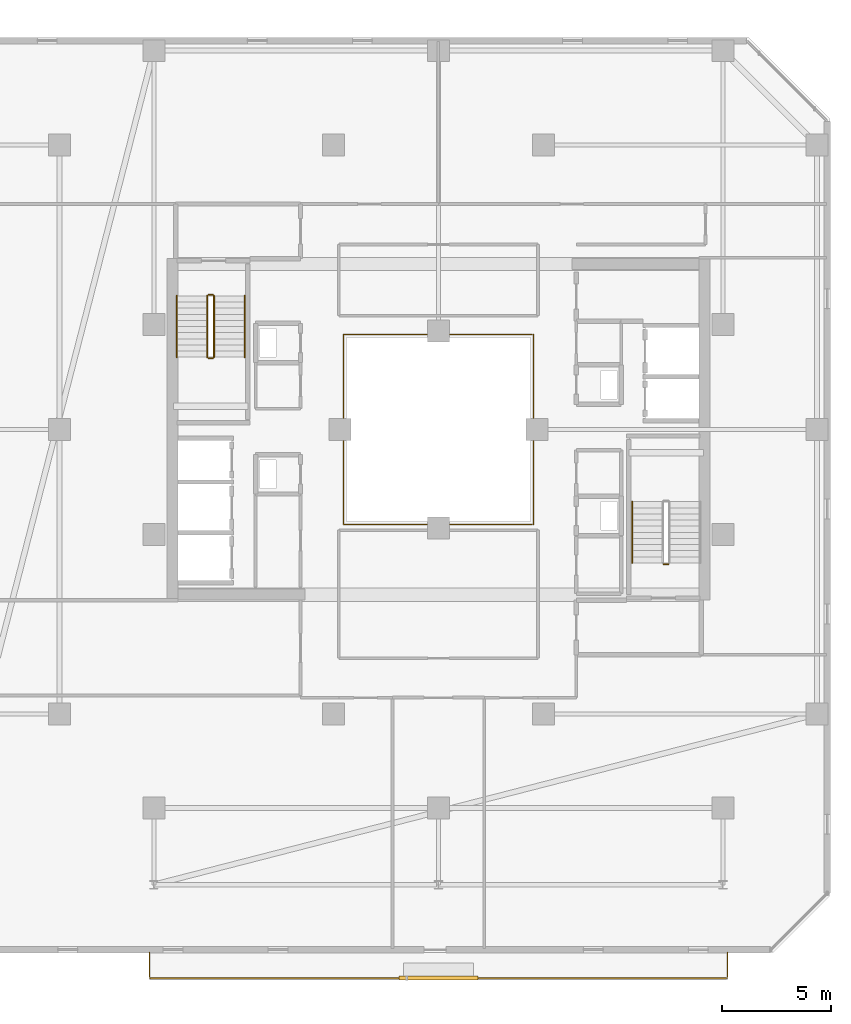
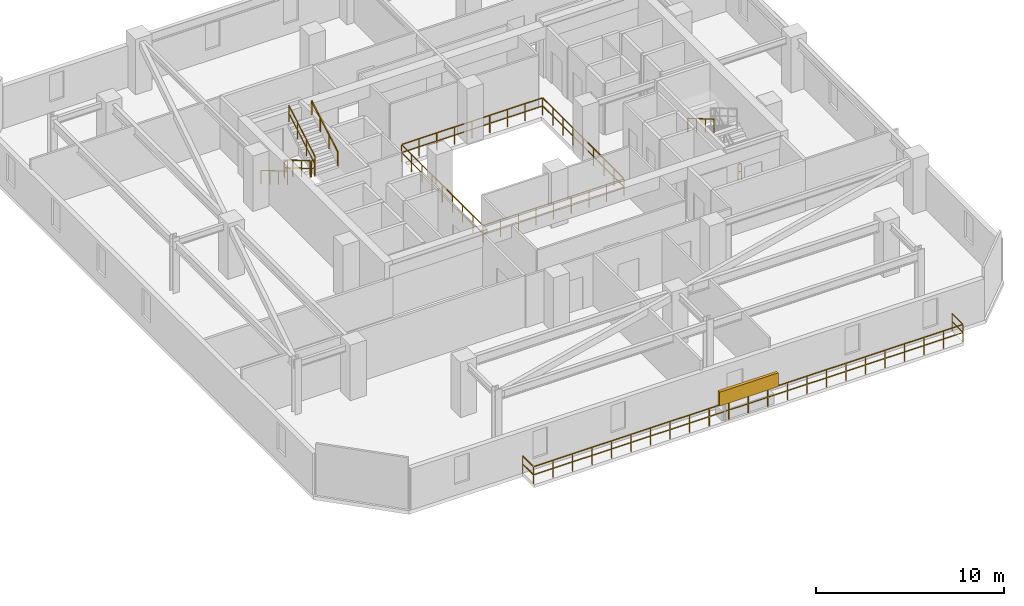
# One storey, part 32 of 33: 10 railings, 1 shading device.
"""IFC4 building model written with IfcOpenShell, lengths in metres."""

import ifcopenshell
import ifcopenshell.guid

model = None  # the IFC model being written
_history = None  # IfcOwnerHistory: only IFC2X3 demands one
_inside = {}  # id of a spatial element -> (the spatial element, [elements in it])
_under = {}  # id of a project, library or spatial element -> (it, [spatial elements below it])
_declared = {}  # id of a project -> (the project, [libraries it declares])
_typed = {}  # id of a type object -> (the type object, [elements of that type])
_made_of = {}  # id of a material, layer set ... -> (it, [elements and type objects made of it])


def new_model(schema):
    """Start an empty IFC model of exactly this schema.

    Asked for "IFC4X3", IfcOpenShell would pick the latest addendum, in which some entities
    have other attributes; the version numbers below select the first issue.
    IFC2X3 requires an IfcOwnerHistory on every rooted entity: one is made here for all.
    """
    global model, _history
    if schema == "IFC4X3":
        model = ifcopenshell.file(schema_version=(4, 3, 0, 0))
    else:
        model = ifcopenshell.file(schema=schema)
    _inside.clear()
    _under.clear()
    _declared.clear()
    _typed.clear()
    _made_of.clear()
    _history = None
    if model.schema == "IFC2X3":
        org = make("IfcOrganization", Name="unknown")
        user = make(
            "IfcPersonAndOrganization",
            ThePerson=make("IfcPerson", FamilyName="unknown"),
            TheOrganization=org,
        )
        app = make(
            "IfcApplication",
            ApplicationDeveloper=org,
            Version="unknown",
            ApplicationFullName="unknown",
            ApplicationIdentifier="unknown",
        )
        _history = make(
            "IfcOwnerHistory",
            OwningUser=user,
            OwningApplication=app,
            ChangeAction="ADDED",
            CreationDate=0,
        )
    return model


def make(cls, **values):
    """One entity of the class cls with the attributes given. An attribute that is None is left unset."""
    return model.create_entity(
        cls, **{name: value for name, value in values.items() if value is not None}
    )


def rooted(cls, **values):
    """An entity with a GlobalId (a new one), such as an element, a storey or a relation."""
    return make(cls, GlobalId=ifcopenshell.guid.new(), OwnerHistory=_history, **values)


def si_unit(unit_type, name, prefix=None):
    """IfcSIUnit, for example si_unit("LENGTHUNIT", "METRE", prefix="MILLI")."""
    return make("IfcSIUnit", UnitType=unit_type, Prefix=prefix, Name=name)


def assignment(units):
    """IfcUnitAssignment: the units of a project."""
    return None if units is None else make("IfcUnitAssignment", Units=units)


def point(xyz):
    """IfcCartesianPoint."""
    return None if xyz is None else make("IfcCartesianPoint", Coordinates=xyz)


def direction(xyz):
    """IfcDirection."""
    return None if xyz is None else make("IfcDirection", DirectionRatios=xyz)


def frame(location, z_axis=None, x_axis=None):
    """IfcAxis2Placement3D, a coordinate frame: its origin and axes. An axis left out is left unset."""
    return make(
        "IfcAxis2Placement3D",
        Location=point(location),
        Axis=direction(z_axis),
        RefDirection=direction(x_axis),
    )


def frame_2d(location, x_axis=None):
    """IfcAxis2Placement2D, a coordinate frame in the plane: its origin and x axis."""
    return make(
        "IfcAxis2Placement2D", Location=point(location), RefDirection=direction(x_axis)
    )


def origin():
    """The frame at (0, 0, 0) with its axes left unset."""
    return frame((0.0, 0.0, 0.0))


def origin_2d():
    """The frame at (0, 0) in the plane with its x axis left unset."""
    return frame_2d((0.0, 0.0))


def place(relative_to, where):
    """IfcLocalPlacement: puts the frame where relative to a parent placement (None: the world)."""
    return make(
        "IfcLocalPlacement", PlacementRelTo=relative_to, RelativePlacement=where
    )


def context(
    kind, dimensions, precision=None, world=None, true_north=None, identifier=None
):
    """IfcGeometricRepresentationContext, for example the 3D "Model" context."""
    return make(
        "IfcGeometricRepresentationContext",
        ContextIdentifier=identifier,
        ContextType=kind,
        CoordinateSpaceDimension=dimensions,
        Precision=precision,
        WorldCoordinateSystem=world,
        TrueNorth=true_north,
    )


def subcontext(parent, identifier, kind, view, scale=None):
    """IfcGeometricRepresentationSubContext, for example "Body" below "Model"."""
    return make(
        "IfcGeometricRepresentationSubContext",
        ContextIdentifier=identifier,
        ContextType=kind,
        ParentContext=parent,
        TargetScale=scale,
        TargetView=view,
    )


def project(units=None, contexts=None):
    """IfcProject with its units and contexts."""
    return rooted(
        "IfcProject",
        Name="project",
        RepresentationContexts=contexts,
        UnitsInContext=assignment(units),
    )


def spatial(cls, under=None, at=None, **own):
    """A site, building, storey or space (cls), placed at a placement, below another one or the project."""
    s = rooted(cls, ObjectPlacement=at, **own)
    if under is not None:
        _under.setdefault(under.id(), (under, []))[1].append(s)
    return s


def profile(cls, at=None, kind="AREA", **sizes):
    """A parametric profile (cls). Its sizes go by their IFC names, for example OverallWidth=200.0."""
    return make(cls, ProfileType=kind, Position=at, **sizes)


def rectangle(**sizes):
    """IfcRectangleProfileDef."""
    return profile("IfcRectangleProfileDef", **sizes)


def extrude(swept, where, along, depth):
    """IfcExtrudedAreaSolid: the profile swept, set in the frame where, extruded along a direction by depth."""
    return make(
        "IfcExtrudedAreaSolid",
        SweptArea=swept,
        Position=where,
        ExtrudedDirection=direction(along),
        Depth=depth,
    )


def shape(context_of_items, identifier, shape_type, items):
    """IfcShapeRepresentation: the items that make up one representation, for example the "Body"."""
    return make(
        "IfcShapeRepresentation",
        ContextOfItems=context_of_items,
        RepresentationIdentifier=identifier,
        RepresentationType=shape_type,
        Items=items,
    )


def material(Name=None, Category=None):
    """IfcMaterial."""
    return make("IfcMaterial", Name=Name, Category=Category)


def made_of(thing, what):
    """Note that an element or type object is made of a material, layer set ...; save() writes the relation."""
    if what is not None:
        _made_of.setdefault(what.id(), (what, []))[1].append(thing)
    return thing


def type_object(cls, material=None, **own):
    """A type object (cls), such as IfcWallType, which elements share."""
    return made_of(rooted(cls, **own), material)


def element(
    cls,
    number,
    at=None,
    inside=None,
    cuts=None,
    type_object=None,
    material=None,
    context=None,
    identifier="Body",
    shape_type=None,
    held_by="IfcProductDefinitionShape",
    body=None,
    shapes=None,
    **own,
):
    """One element of the class cls, such as IfcWall. Its Tag is "e" and its number.

    at: its placement. inside: the storey or other place that contains it. cuts: it is an
    opening in that element (IfcRelVoidsElement). A single representation is given by context,
    identifier, shape_type and body (its items); several are given by shapes. held_by: the class
    of the entity that holds the representations. save() writes the other relations.
    """
    e = rooted(cls, Tag="e%d" % number, ObjectPlacement=at, **own)
    if body is not None:
        shapes = [shape(context, identifier, shape_type, body)]
    if shapes is not None:
        e.Representation = make(held_by, Representations=shapes)
    if inside is not None:
        _inside.setdefault(inside.id(), (inside, []))[1].append(e)
    if cuts is not None:
        rooted(
            "IfcRelVoidsElement", RelatingBuildingElement=cuts, RelatedOpeningElement=e
        )
    if type_object is not None:
        _typed.setdefault(type_object.id(), (type_object, []))[1].append(e)
    return made_of(e, material)


def aggregate(whole, parts):
    """IfcRelAggregates: a whole, such as a stair, and the parts it consists of."""
    return rooted("IfcRelAggregates", RelatingObject=whole, RelatedObjects=parts)


def save(model, path):
    """Write the relations noted so far, then the file.

    IfcRelAggregates (storeys below a building ...), IfcRelContainedInSpatialStructure (elements
    in a storey), IfcRelDefinesByType, IfcRelAssociatesMaterial and IfcRelDeclares: one each for
    every whole, place, type object, material and project.
    """
    for whole, parts in _under.values():
        aggregate(whole, parts)
    for where, things in _inside.values():
        rooted(
            "IfcRelContainedInSpatialStructure",
            RelatedElements=things,
            RelatingStructure=where,
        )
    for kind, things in _typed.values():
        rooted("IfcRelDefinesByType", RelatedObjects=things, RelatingType=kind)
    for what, things in _made_of.values():
        rooted("IfcRelAssociatesMaterial", RelatedObjects=things, RelatingMaterial=what)
    for by, libraries in _declared.values():
        rooted("IfcRelDeclares", RelatingContext=by, RelatedDefinitions=libraries)
    model.write(path)


model = new_model("IFC4")

# Units and contexts
model_context = context("Model", 3, precision=1e-05, world=origin(), true_north=direction((0.0, 1.0)))
body_context = subcontext(model_context, "Body", "Model", "MODEL_VIEW")
ifc_project = project(units=[si_unit("LENGTHUNIT", "METRE"), si_unit("AREAUNIT", "SQUARE_METRE"), si_unit("VOLUMEUNIT", "CUBIC_METRE"), si_unit("PLANEANGLEUNIT", "RADIAN"), si_unit("MASSUNIT", "GRAM", prefix="KILO")], contexts=[model_context])

# Site, building, storey
site_placement = place(None, origin())
site = spatial("IfcSite", under=ifc_project, at=site_placement, CompositionType="ELEMENT")
building_placement = place(site_placement, origin())
building = spatial("IfcBuilding", under=site, at=building_placement, Name="Thornwick Lancets Civic Towers", CompositionType="ELEMENT")
storey_placement = place(building_placement, frame((0.0, 0.0, 207.300048828125)))
storey = spatial("IfcBuildingStorey", under=building, at=storey_placement, Name="L55", CompositionType="ELEMENT", Elevation=207.300048828125)

# Railings
ifc_material_1 = material(Name="Laminated glass and bronze steel S355", Category="steel")
railing_type_1 = type_object("IfcRailingType", Name="RAIL_ATRIUM_GUARD", PredefinedType="BALUSTRADE", material=ifc_material_1)
railing_1_placement = place(storey_placement, frame((84.159912109375, 22.659912109375, 0.0)))
element("IfcRailing", 1, at=railing_1_placement, inside=storey, type_object=railing_type_1, Name="L55 Tower B Central Atrium Guard Balustrade", PredefinedType="BALUSTRADE", context=body_context, shape_type="SweptSolid", body=[
    extrude(rectangle(XDim=0.048095703125, YDim=0.048095703125, at=origin_2d()), frame((0.0, 0.0, 1.1259765625), z_axis=(1.0, 0.0, 0.0), x_axis=(0.0, 1.0, 0.0)), (0.0, 0.0, 1.0), 8.64892578125),
    extrude(rectangle(XDim=0.0419921875, YDim=0.0419921875, at=origin_2d()), frame((0.03759765625, 0.0, 0.597900390625), z_axis=(1.0, 0.0, 0.0), x_axis=(0.0, 1.0, 0.0)), (0.0, 0.0, 1.0), 1.010009765625),
    extrude(rectangle(XDim=0.0419921875, YDim=0.0419921875, at=origin_2d()), frame((1.12255859375, 0.0, 0.597900390625), z_axis=(1.0, 0.0, 0.0), x_axis=(0.0, 1.0, 0.0)), (0.0, 0.0, 1.0), 1.010009765625),
    extrude(rectangle(XDim=0.0419921875, YDim=0.0419921875, at=origin_2d()), frame((2.20751953125, 0.0, 0.597900390625), z_axis=(1.0, 0.0, 0.0), x_axis=(0.0, 1.0, 0.0)), (0.0, 0.0, 1.0), 1.010009765625),
    extrude(rectangle(XDim=0.0419921875, YDim=0.0419921875, at=origin_2d()), frame((3.29248046875, 0.0, 0.597900390625), z_axis=(1.0, 0.0, 0.0), x_axis=(0.0, 1.0, 0.0)), (0.0, 0.0, 1.0), 1.010009765625),
    extrude(rectangle(XDim=0.0419921875, YDim=0.0419921875, at=origin_2d()), frame((4.377685546875, 0.0, 0.597900390625), z_axis=(1.0, 0.0, 0.0), x_axis=(0.0, 1.0, 0.0)), (0.0, 0.0, 1.0), 1.010009765625),
    extrude(rectangle(XDim=0.0419921875, YDim=0.0419921875, at=origin_2d()), frame((5.462646484375, 0.0, 0.597900390625), z_axis=(1.0, 0.0, 0.0), x_axis=(0.0, 1.0, 0.0)), (0.0, 0.0, 1.0), 1.010009765625),
    extrude(rectangle(XDim=0.0419921875, YDim=0.0419921875, at=origin_2d()), frame((6.547607421875, 0.0, 0.597900390625), z_axis=(1.0, 0.0, 0.0), x_axis=(0.0, 1.0, 0.0)), (0.0, 0.0, 1.0), 1.010009765625),
    extrude(rectangle(XDim=0.0419921875, YDim=0.0419921875, at=origin_2d()), frame((7.632568359375, 0.0, 0.597900390625), z_axis=(1.0, 0.0, 0.0), x_axis=(0.0, 1.0, 0.0)), (0.0, 0.0, 1.0), 1.010009765625),
    extrude(rectangle(XDim=0.048095703125, YDim=0.048095703125, at=origin_2d()), frame((8.68017578125, 0.03125, 1.1259765625), z_axis=(0.0, 1.0, 0.0), x_axis=(-1.0, 0.0, 0.0)), (0.0, 0.0, 1.0), 8.61767578125),
    extrude(rectangle(XDim=0.0419921875, YDim=0.0419921875, at=origin_2d()), frame((8.68017578125, 0.03759765625, 0.597900390625), z_axis=(0.0, 1.0, 0.0), x_axis=(-1.0, 0.0, 0.0)), (0.0, 0.0, 1.0), 1.010009765625),
    extrude(rectangle(XDim=0.0419921875, YDim=0.0419921875, at=origin_2d()), frame((8.68017578125, 1.12255859375, 0.597900390625), z_axis=(0.0, 1.0, 0.0), x_axis=(-1.0, 0.0, 0.0)), (0.0, 0.0, 1.0), 1.010009765625),
    extrude(rectangle(XDim=0.0419921875, YDim=0.0419921875, at=origin_2d()), frame((8.68017578125, 2.20751953125, 0.597900390625), z_axis=(0.0, 1.0, 0.0), x_axis=(-1.0, 0.0, 0.0)), (0.0, 0.0, 1.0), 1.010009765625),
    extrude(rectangle(XDim=0.0419921875, YDim=0.0419921875, at=origin_2d()), frame((8.68017578125, 3.29248046875, 0.597900390625), z_axis=(0.0, 1.0, 0.0), x_axis=(-1.0, 0.0, 0.0)), (0.0, 0.0, 1.0), 1.010009765625),
    extrude(rectangle(XDim=0.0419921875, YDim=0.0419921875, at=origin_2d()), frame((8.68017578125, 4.377685546875, 0.597900390625), z_axis=(0.0, 1.0, 0.0), x_axis=(-1.0, 0.0, 0.0)), (0.0, 0.0, 1.0), 1.010009765625),
    extrude(rectangle(XDim=0.0419921875, YDim=0.0419921875, at=origin_2d()), frame((8.68017578125, 5.462646484375, 0.597900390625), z_axis=(0.0, 1.0, 0.0), x_axis=(-1.0, 0.0, 0.0)), (0.0, 0.0, 1.0), 1.010009765625),
    extrude(rectangle(XDim=0.0419921875, YDim=0.0419921875, at=origin_2d()), frame((8.68017578125, 6.547607421875, 0.597900390625), z_axis=(0.0, 1.0, 0.0), x_axis=(-1.0, 0.0, 0.0)), (0.0, 0.0, 1.0), 1.010009765625),
    extrude(rectangle(XDim=0.0419921875, YDim=0.0419921875, at=origin_2d()), frame((8.68017578125, 7.632568359375, 0.597900390625), z_axis=(0.0, 1.0, 0.0), x_axis=(-1.0, 0.0, 0.0)), (0.0, 0.0, 1.0), 1.010009765625),
    extrude(rectangle(XDim=0.048095703125, YDim=0.048095703125, at=origin_2d()), frame((8.64892578125, 8.68017578125, 1.1259765625), z_axis=(-1.0, 0.0, 0.0), x_axis=(0.0, -1.0, 0.0)), (0.0, 0.0, 1.0), 8.61767578125),
    extrude(rectangle(XDim=0.0419921875, YDim=0.0419921875, at=origin_2d()), frame((8.642578125, 8.68017578125, 0.597900390625), z_axis=(-1.0, 0.0, 0.0), x_axis=(0.0, -1.0, 0.0)), (0.0, 0.0, 1.0), 1.010009765625),
    extrude(rectangle(XDim=0.0419921875, YDim=0.0419921875, at=origin_2d()), frame((7.5576171875, 8.68017578125, 0.597900390625), z_axis=(-1.0, 0.0, 0.0), x_axis=(0.0, -1.0, 0.0)), (0.0, 0.0, 1.0), 1.010009765625),
    extrude(rectangle(XDim=0.0419921875, YDim=0.0419921875, at=origin_2d()), frame((6.47265625, 8.68017578125, 0.597900390625), z_axis=(-1.0, 0.0, 0.0), x_axis=(0.0, -1.0, 0.0)), (0.0, 0.0, 1.0), 1.010009765625),
    extrude(rectangle(XDim=0.0419921875, YDim=0.0419921875, at=origin_2d()), frame((5.3876953125, 8.68017578125, 0.597900390625), z_axis=(-1.0, 0.0, 0.0), x_axis=(0.0, -1.0, 0.0)), (0.0, 0.0, 1.0), 1.010009765625),
    extrude(rectangle(XDim=0.0419921875, YDim=0.0419921875, at=origin_2d()), frame((4.302490234375, 8.68017578125, 0.597900390625), z_axis=(-1.0, 0.0, 0.0), x_axis=(0.0, -1.0, 0.0)), (0.0, 0.0, 1.0), 1.010009765625),
    extrude(rectangle(XDim=0.0419921875, YDim=0.0419921875, at=origin_2d()), frame((3.217529296875, 8.68017578125, 0.597900390625), z_axis=(-1.0, 0.0, 0.0), x_axis=(0.0, -1.0, 0.0)), (0.0, 0.0, 1.0), 1.010009765625),
    extrude(rectangle(XDim=0.0419921875, YDim=0.0419921875, at=origin_2d()), frame((2.132568359375, 8.68017578125, 0.597900390625), z_axis=(-1.0, 0.0, 0.0), x_axis=(0.0, -1.0, 0.0)), (0.0, 0.0, 1.0), 1.010009765625),
    extrude(rectangle(XDim=0.0419921875, YDim=0.0419921875, at=origin_2d()), frame((1.047607421875, 8.68017578125, 0.597900390625), z_axis=(-1.0, 0.0, 0.0), x_axis=(0.0, -1.0, 0.0)), (0.0, 0.0, 1.0), 1.010009765625),
    extrude(rectangle(XDim=0.048095703125, YDim=0.048095703125, at=origin_2d()), frame((0.0, 8.64892578125, 1.1259765625), z_axis=(0.0, -1.0, 0.0), x_axis=(1.0, 0.0, 0.0)), (0.0, 0.0, 1.0), 8.64892578125),
    extrude(rectangle(XDim=0.0419921875, YDim=0.0419921875, at=origin_2d()), frame((0.0, 8.642578125, 0.597900390625), z_axis=(0.0, -1.0, 0.0), x_axis=(1.0, 0.0, 0.0)), (0.0, 0.0, 1.0), 1.010009765625),
    extrude(rectangle(XDim=0.0419921875, YDim=0.0419921875, at=origin_2d()), frame((0.0, 7.5576171875, 0.597900390625), z_axis=(0.0, -1.0, 0.0), x_axis=(1.0, 0.0, 0.0)), (0.0, 0.0, 1.0), 1.010009765625),
    extrude(rectangle(XDim=0.0419921875, YDim=0.0419921875, at=origin_2d()), frame((0.0, 6.47265625, 0.597900390625), z_axis=(0.0, -1.0, 0.0), x_axis=(1.0, 0.0, 0.0)), (0.0, 0.0, 1.0), 1.010009765625),
    extrude(rectangle(XDim=0.0419921875, YDim=0.0419921875, at=origin_2d()), frame((0.0, 5.3876953125, 0.597900390625), z_axis=(0.0, -1.0, 0.0), x_axis=(1.0, 0.0, 0.0)), (0.0, 0.0, 1.0), 1.010009765625),
    extrude(rectangle(XDim=0.0419921875, YDim=0.0419921875, at=origin_2d()), frame((0.0, 4.302490234375, 0.597900390625), z_axis=(0.0, -1.0, 0.0), x_axis=(1.0, 0.0, 0.0)), (0.0, 0.0, 1.0), 1.010009765625),
    extrude(rectangle(XDim=0.0419921875, YDim=0.0419921875, at=origin_2d()), frame((0.0, 3.217529296875, 0.597900390625), z_axis=(0.0, -1.0, 0.0), x_axis=(1.0, 0.0, 0.0)), (0.0, 0.0, 1.0), 1.010009765625),
    extrude(rectangle(XDim=0.0419921875, YDim=0.0419921875, at=origin_2d()), frame((0.0, 2.132568359375, 0.597900390625), z_axis=(0.0, -1.0, 0.0), x_axis=(1.0, 0.0, 0.0)), (0.0, 0.0, 1.0), 1.010009765625),
    extrude(rectangle(XDim=0.0419921875, YDim=0.0419921875, at=origin_2d()), frame((0.0, 1.047607421875, 0.597900390625), z_axis=(0.0, -1.0, 0.0), x_axis=(1.0, 0.0, 0.0)), (0.0, 0.0, 1.0), 1.010009765625),
    extrude(rectangle(XDim=0.0419921875, YDim=0.0419921875, at=origin_2d()), origin(), (0.0, 0.0, 1.0), 1.095703125),
    extrude(rectangle(XDim=0.0419921875, YDim=0.0419921875, at=origin_2d()), frame((1.0849609375, 0.0, 0.0)), (0.0, 0.0, 1.0), 1.095703125),
    extrude(rectangle(XDim=0.0419921875, YDim=0.0419921875, at=origin_2d()), frame((2.169921875, 0.0, 0.0)), (0.0, 0.0, 1.0), 1.095703125),
    extrude(rectangle(XDim=0.0419921875, YDim=0.0419921875, at=origin_2d()), frame((3.255126953125, 0.0, 0.0)), (0.0, 0.0, 1.0), 1.095703125),
    extrude(rectangle(XDim=0.0419921875, YDim=0.0419921875, at=origin_2d()), frame((4.340087890625, 0.0, 0.0)), (0.0, 0.0, 1.0), 1.095703125),
    extrude(rectangle(XDim=0.0419921875, YDim=0.0419921875, at=origin_2d()), frame((5.425048828125, 0.0, 0.0)), (0.0, 0.0, 1.0), 1.095703125),
    extrude(rectangle(XDim=0.0419921875, YDim=0.0419921875, at=origin_2d()), frame((6.51025390625, 0.0, 0.0)), (0.0, 0.0, 1.0), 1.095703125),
    extrude(rectangle(XDim=0.0419921875, YDim=0.0419921875, at=origin_2d()), frame((7.59521484375, 0.0, 0.0)), (0.0, 0.0, 1.0), 1.095703125),
    extrude(rectangle(XDim=0.0419921875, YDim=0.0419921875, at=origin_2d()), frame((8.68017578125, 0.0, 0.0)), (0.0, 0.0, 1.0), 1.095703125),
    extrude(rectangle(XDim=0.0419921875, YDim=0.0419921875, at=origin_2d()), frame((8.68017578125, 1.0849609375, 0.0)), (0.0, 0.0, 1.0), 1.095703125),
    extrude(rectangle(XDim=0.0419921875, YDim=0.0419921875, at=origin_2d()), frame((8.68017578125, 2.169921875, 0.0)), (0.0, 0.0, 1.0), 1.095703125),
    extrude(rectangle(XDim=0.0419921875, YDim=0.0419921875, at=origin_2d()), frame((8.68017578125, 3.255126953125, 0.0)), (0.0, 0.0, 1.0), 1.095703125),
    extrude(rectangle(XDim=0.0419921875, YDim=0.0419921875, at=origin_2d()), frame((8.68017578125, 4.340087890625, 0.0)), (0.0, 0.0, 1.0), 1.095703125),
    extrude(rectangle(XDim=0.0419921875, YDim=0.0419921875, at=origin_2d()), frame((8.68017578125, 5.425048828125, 0.0)), (0.0, 0.0, 1.0), 1.095703125),
    extrude(rectangle(XDim=0.0419921875, YDim=0.0419921875, at=origin_2d()), frame((8.68017578125, 6.51025390625, 0.0)), (0.0, 0.0, 1.0), 1.095703125),
    extrude(rectangle(XDim=0.0419921875, YDim=0.0419921875, at=origin_2d()), frame((8.68017578125, 7.59521484375, 0.0)), (0.0, 0.0, 1.0), 1.095703125),
    extrude(rectangle(XDim=0.0419921875, YDim=0.0419921875, at=origin_2d()), frame((8.68017578125, 8.68017578125, 0.0)), (0.0, 0.0, 1.0), 1.095703125),
    extrude(rectangle(XDim=0.0419921875, YDim=0.0419921875, at=origin_2d()), frame((7.59521484375, 8.68017578125, 0.0)), (0.0, 0.0, 1.0), 1.095703125),
    extrude(rectangle(XDim=0.0419921875, YDim=0.0419921875, at=origin_2d()), frame((6.51025390625, 8.68017578125, 0.0)), (0.0, 0.0, 1.0), 1.095703125),
    extrude(rectangle(XDim=0.0419921875, YDim=0.0419921875, at=origin_2d()), frame((5.425048828125, 8.68017578125, 0.0)), (0.0, 0.0, 1.0), 1.095703125),
    extrude(rectangle(XDim=0.0419921875, YDim=0.0419921875, at=origin_2d()), frame((4.340087890625, 8.68017578125, 0.0)), (0.0, 0.0, 1.0), 1.095703125),
    extrude(rectangle(XDim=0.0419921875, YDim=0.0419921875, at=origin_2d()), frame((3.255126953125, 8.68017578125, 0.0)), (0.0, 0.0, 1.0), 1.095703125),
    extrude(rectangle(XDim=0.0419921875, YDim=0.0419921875, at=origin_2d()), frame((2.169921875, 8.68017578125, 0.0)), (0.0, 0.0, 1.0), 1.095703125),
    extrude(rectangle(XDim=0.0419921875, YDim=0.0419921875, at=origin_2d()), frame((1.0849609375, 8.68017578125, 0.0)), (0.0, 0.0, 1.0), 1.095703125),
    extrude(rectangle(XDim=0.0419921875, YDim=0.0419921875, at=origin_2d()), frame((0.0, 8.68017578125, 0.0)), (0.0, 0.0, 1.0), 1.095703125),
    extrude(rectangle(XDim=0.0419921875, YDim=0.0419921875, at=origin_2d()), frame((0.0, 7.59521484375, 0.0)), (0.0, 0.0, 1.0), 1.095703125),
    extrude(rectangle(XDim=0.0419921875, YDim=0.0419921875, at=origin_2d()), frame((0.0, 6.51025390625, 0.0)), (0.0, 0.0, 1.0), 1.095703125),
    extrude(rectangle(XDim=0.0419921875, YDim=0.0419921875, at=origin_2d()), frame((0.0, 5.425048828125, 0.0)), (0.0, 0.0, 1.0), 1.095703125),
    extrude(rectangle(XDim=0.0419921875, YDim=0.0419921875, at=origin_2d()), frame((0.0, 4.340087890625, 0.0)), (0.0, 0.0, 1.0), 1.095703125),
    extrude(rectangle(XDim=0.0419921875, YDim=0.0419921875, at=origin_2d()), frame((0.0, 3.255126953125, 0.0)), (0.0, 0.0, 1.0), 1.095703125),
    extrude(rectangle(XDim=0.0419921875, YDim=0.0419921875, at=origin_2d()), frame((0.0, 2.169921875, 0.0)), (0.0, 0.0, 1.0), 1.095703125),
    extrude(rectangle(XDim=0.0419921875, YDim=0.0419921875, at=origin_2d()), frame((0.0, 1.0849609375, 0.0)), (0.0, 0.0, 1.0), 1.095703125),
])
ifc_material_2 = material(Name="Brushed stainless steel S355", Category="steel")
railing_type_2 = type_object("IfcRailingType", Name="RAIL_HANDRAIL", PredefinedType="HANDRAIL", material=ifc_material_2)
railing_2_placement = place(storey_placement, frame((97.35009765625, 23.699951171875, 1.963623046875)))
element("IfcRailing", 2, at=railing_2_placement, inside=storey, type_object=railing_type_2, Name="L55 ST-B1 stair handrail 2", PredefinedType="HANDRAIL", context=body_context, shape_type="SweptSolid", body=[
    extrude(rectangle(XDim=0.048095703125, YDim=0.048095703125, at=origin_2d()), frame((0.0, 0.0, 0.8857421875), z_axis=(0.0, -0.863393664356, 0.504530851732), x_axis=(1.0, 0.0, 0.0)), (0.0, 0.0, 1.0), 3.2431640625),
    extrude(rectangle(XDim=0.0419921875, YDim=0.0419921875, at=origin_2d()), origin(), (0.0, 0.0, 1.0), 0.855712890625),
    extrude(rectangle(XDim=0.0419921875, YDim=0.0419921875, at=origin_2d()), frame((0.0, -0.933349609375, 0.54541015625)), (0.0, 0.0, 1.0), 0.855712890625),
    extrude(rectangle(XDim=0.0419921875, YDim=0.0419921875, at=origin_2d()), frame((0.0, -1.86669921875, 1.0908203125)), (0.0, 0.0, 1.0), 0.855712890625),
    extrude(rectangle(XDim=0.0419921875, YDim=0.0419921875, at=origin_2d()), frame((0.0, -2.800048828125, 1.63623046875)), (0.0, 0.0, 1.0), 0.855712890625),
])
railing_3_placement = place(storey_placement, frame((76.550048828125, 33.10009765625, 0.16357421875)))
element("IfcRailing", 3, at=railing_3_placement, inside=storey, type_object=railing_type_2, Name="L55 ST-B2 stair handrail 1", PredefinedType="HANDRAIL", context=body_context, shape_type="SweptSolid", body=[
    extrude(rectangle(XDim=0.048095703125, YDim=0.048095703125, at=origin_2d()), frame((0.0, 0.0, 0.8857421875), z_axis=(0.0, -0.863360870873, 0.504586966384), x_axis=(1.0, 0.0, 0.0)), (0.0, 0.0, 1.0), 3.2431640625),
    extrude(rectangle(XDim=0.0419921875, YDim=0.0419921875, at=origin_2d()), origin(), (0.0, 0.0, 1.0), 0.855712890625),
    extrude(rectangle(XDim=0.0419921875, YDim=0.0419921875, at=origin_2d()), frame((0.0, -0.933349609375, 0.54541015625)), (0.0, 0.0, 1.0), 0.855712890625),
    extrude(rectangle(XDim=0.0419921875, YDim=0.0419921875, at=origin_2d()), frame((0.0, -1.86669921875, 1.091064453125)), (0.0, 0.0, 1.0), 0.855712890625),
    extrude(rectangle(XDim=0.0419921875, YDim=0.0419921875, at=origin_2d()), frame((0.0, -2.800048828125, 1.636474609375)), (0.0, 0.0, 1.0), 0.855712890625),
])
railing_4_placement = place(storey_placement, frame((79.64990234375, 30.300048828125, 1.963623046875)))
element("IfcRailing", 4, at=railing_4_placement, inside=storey, type_object=railing_type_2, Name="L55 ST-B2 stair handrail 2", PredefinedType="HANDRAIL", context=body_context, shape_type="SweptSolid", body=[
    extrude(rectangle(XDim=0.048095703125, YDim=0.048095703125, at=origin_2d()), frame((0.0, 0.0, 0.8857421875), z_axis=(0.0, 0.863393664356, 0.504530851732), x_axis=(-1.0, 0.0, 0.0)), (0.0, 0.0, 1.0), 3.2431640625),
    extrude(rectangle(XDim=0.0419921875, YDim=0.0419921875, at=origin_2d()), origin(), (0.0, 0.0, 1.0), 0.855712890625),
    extrude(rectangle(XDim=0.0419921875, YDim=0.0419921875, at=origin_2d()), frame((0.0, 0.933349609375, 0.54541015625)), (0.0, 0.0, 1.0), 0.855712890625),
    extrude(rectangle(XDim=0.0419921875, YDim=0.0419921875, at=origin_2d()), frame((0.0, 1.86669921875, 1.0908203125)), (0.0, 0.0, 1.0), 0.855712890625),
    extrude(rectangle(XDim=0.0419921875, YDim=0.0419921875, at=origin_2d()), frame((0.0, 2.800048828125, 1.63623046875)), (0.0, 0.0, 1.0), 0.855712890625),
])
ifc_material_3 = material(Name="Steel S355JR", Category="steel")
railing_type_3 = type_object("IfcRailingType", Name="RAIL_STAIR_GUARD", PredefinedType="GUARDRAIL", material=ifc_material_3)
railing_5_placement = place(storey_placement, frame((99.0, 20.85009765625, 0.0)))
element("IfcRailing", 5, at=railing_5_placement, inside=storey, type_object=railing_type_3, Name="L55 ST-B1 stair guard 4", PredefinedType="GUARDRAIL", context=body_context, shape_type="SweptSolid", body=[
    extrude(rectangle(XDim=0.048095703125, YDim=0.048095703125, at=origin_2d()), frame((0.0, 0.0, 1.076171875), z_axis=(-1.0, 0.0, 0.0), x_axis=(0.0, -1.0, 0.0)), (0.0, 0.0, 1.0), 0.199951171875),
    extrude(rectangle(XDim=0.0419921875, YDim=0.0419921875, at=origin_2d()), frame((-0.03759765625, 0.0, 0.572021484375), z_axis=(-1.0, 0.0, 0.0), x_axis=(0.0, -1.0, 0.0)), (0.0, 0.0, 1.0), 0.125),
    extrude(rectangle(XDim=0.0419921875, YDim=0.0419921875, at=origin_2d()), origin(), (0.0, 0.0, 1.0), 1.0458984375),
    extrude(rectangle(XDim=0.0419921875, YDim=0.0419921875, at=origin_2d()), frame((-0.199951171875, 0.0, 0.0)), (0.0, 0.0, 1.0), 1.0458984375),
])
railing_6_placement = place(storey_placement, frame((77.949951171875, 33.10009765625, 0.16357421875)))
element("IfcRailing", 6, at=railing_6_placement, inside=storey, type_object=railing_type_3, Name="L55 ST-B2 stair guard 1", PredefinedType="GUARDRAIL", context=body_context, shape_type="SweptSolid", body=[
    extrude(rectangle(XDim=0.048095703125, YDim=0.048095703125, at=origin_2d()), frame((0.0, 0.0, 1.076171875), z_axis=(0.0, -0.863360870873, 0.504586966384), x_axis=(1.0, 0.0, 0.0)), (0.0, 0.0, 1.0), 3.2431640625),
    extrude(rectangle(XDim=0.0419921875, YDim=0.0419921875, at=origin_2d()), frame((0.0, -0.032470703125, 0.591064453125), z_axis=(0.0, -0.863360870873, 0.504586966384), x_axis=(1.0, 0.0, 0.0)), (0.0, 0.0, 1.0), 1.006103515625),
    extrude(rectangle(XDim=0.0419921875, YDim=0.0419921875, at=origin_2d()), frame((0.0, -0.9658203125, 1.136474609375), z_axis=(0.0, -0.863360870873, 0.504586966384), x_axis=(1.0, 0.0, 0.0)), (0.0, 0.0, 1.0), 1.006103515625),
    extrude(rectangle(XDim=0.0419921875, YDim=0.0419921875, at=origin_2d()), frame((0.0, -1.899169921875, 1.681884765625), z_axis=(0.0, -0.863360870873, 0.504586966384), x_axis=(1.0, 0.0, 0.0)), (0.0, 0.0, 1.0), 1.006103515625),
    extrude(rectangle(XDim=0.0419921875, YDim=0.0419921875, at=origin_2d()), origin(), (0.0, 0.0, 1.0), 1.0458984375),
    extrude(rectangle(XDim=0.0419921875, YDim=0.0419921875, at=origin_2d()), frame((0.0, -0.933349609375, 0.54541015625)), (0.0, 0.0, 1.0), 1.0458984375),
    extrude(rectangle(XDim=0.0419921875, YDim=0.0419921875, at=origin_2d()), frame((0.0, -1.86669921875, 1.091064453125)), (0.0, 0.0, 1.0), 1.0458984375),
    extrude(rectangle(XDim=0.0419921875, YDim=0.0419921875, at=origin_2d()), frame((0.0, -2.800048828125, 1.636474609375)), (0.0, 0.0, 1.0), 1.0458984375),
])
railing_7_placement = place(storey_placement, frame((78.0, 30.25, 1.800048828125)))
element("IfcRailing", 7, at=railing_7_placement, inside=storey, type_object=railing_type_3, Name="L55 ST-B2 stair guard 2", PredefinedType="GUARDRAIL", context=body_context, shape_type="SweptSolid", body=[
    extrude(rectangle(XDim=0.048095703125, YDim=0.048095703125, at=origin_2d()), frame((0.0, 0.0, 1.076171875), z_axis=(1.0, 0.0, 0.0), x_axis=(0.0, 1.0, 0.0)), (0.0, 0.0, 1.0), 0.199951171875),
    extrude(rectangle(XDim=0.0419921875, YDim=0.0419921875, at=origin_2d()), frame((0.03759765625, 0.0, 0.572021484375), z_axis=(1.0, 0.0, 0.0), x_axis=(0.0, 1.0, 0.0)), (0.0, 0.0, 1.0), 0.125),
    extrude(rectangle(XDim=0.0419921875, YDim=0.0419921875, at=origin_2d()), origin(), (0.0, 0.0, 1.0), 1.0458984375),
    extrude(rectangle(XDim=0.0419921875, YDim=0.0419921875, at=origin_2d()), frame((0.199951171875, 0.0, 0.0)), (0.0, 0.0, 1.0), 1.0458984375),
])
railing_8_placement = place(storey_placement, frame((78.25, 30.300048828125, 1.963623046875)))
element("IfcRailing", 8, at=railing_8_placement, inside=storey, type_object=railing_type_3, Name="L55 ST-B2 stair guard 3", PredefinedType="GUARDRAIL", context=body_context, shape_type="SweptSolid", body=[
    extrude(rectangle(XDim=0.048095703125, YDim=0.048095703125, at=origin_2d()), frame((0.0, 0.0, 1.076171875), z_axis=(0.0, 0.863393664356, 0.504530851732), x_axis=(-1.0, 0.0, 0.0)), (0.0, 0.0, 1.0), 3.2431640625),
    extrude(rectangle(XDim=0.0419921875, YDim=0.0419921875, at=origin_2d()), frame((0.0, 0.032470703125, 0.591064453125), z_axis=(0.0, 0.863393664356, 0.504530851732), x_axis=(-1.0, 0.0, 0.0)), (0.0, 0.0, 1.0), 1.006103515625),
    extrude(rectangle(XDim=0.0419921875, YDim=0.0419921875, at=origin_2d()), frame((0.0, 0.9658203125, 1.136474609375), z_axis=(0.0, 0.863393664356, 0.504530851732), x_axis=(-1.0, 0.0, 0.0)), (0.0, 0.0, 1.0), 1.006103515625),
    extrude(rectangle(XDim=0.0419921875, YDim=0.0419921875, at=origin_2d()), frame((0.0, 1.899169921875, 1.681884765625), z_axis=(0.0, 0.863393664356, 0.504530851732), x_axis=(-1.0, 0.0, 0.0)), (0.0, 0.0, 1.0), 1.006103515625),
    extrude(rectangle(XDim=0.0419921875, YDim=0.0419921875, at=origin_2d()), origin(), (0.0, 0.0, 1.0), 1.0458984375),
    extrude(rectangle(XDim=0.0419921875, YDim=0.0419921875, at=origin_2d()), frame((0.0, 0.933349609375, 0.54541015625)), (0.0, 0.0, 1.0), 1.0458984375),
    extrude(rectangle(XDim=0.0419921875, YDim=0.0419921875, at=origin_2d()), frame((0.0, 1.86669921875, 1.0908203125)), (0.0, 0.0, 1.0), 1.0458984375),
    extrude(rectangle(XDim=0.0419921875, YDim=0.0419921875, at=origin_2d()), frame((0.0, 2.800048828125, 1.63623046875)), (0.0, 0.0, 1.0), 1.0458984375),
])
railing_9_placement = place(storey_placement, frame((78.0, 33.14990234375, 0.0)))
element("IfcRailing", 9, at=railing_9_placement, inside=storey, type_object=railing_type_3, Name="L55 ST-B2 stair guard 4", PredefinedType="GUARDRAIL", context=body_context, shape_type="SweptSolid", body=[
    extrude(rectangle(XDim=0.048095703125, YDim=0.048095703125, at=origin_2d()), frame((0.0, 0.0, 1.076171875), z_axis=(1.0, 0.0, 0.0), x_axis=(0.0, 1.0, 0.0)), (0.0, 0.0, 1.0), 0.199951171875),
    extrude(rectangle(XDim=0.0419921875, YDim=0.0419921875, at=origin_2d()), frame((0.03759765625, 0.0, 0.572021484375), z_axis=(1.0, 0.0, 0.0), x_axis=(0.0, 1.0, 0.0)), (0.0, 0.0, 1.0), 0.125),
    extrude(rectangle(XDim=0.0419921875, YDim=0.0419921875, at=origin_2d()), origin(), (0.0, 0.0, 1.0), 1.0458984375),
    extrude(rectangle(XDim=0.0419921875, YDim=0.0419921875, at=origin_2d()), frame((0.199951171875, 0.0, 0.0)), (0.0, 0.0, 1.0), 1.0458984375),
])
ifc_material_4 = material(Name="Terracotta-capped laminated glass balustrade S355", Category="masonry")
railing_type_4 = type_object("IfcRailingType", Name="RAIL_TERR_GUARD", PredefinedType="GUARDRAIL", material=ifc_material_4)
railing_10_placement = place(storey_placement, frame((75.300048828125, 3.10009765625, 0.0)))
element("IfcRailing", 10, at=railing_10_placement, inside=storey, type_object=railing_type_4, Name="L55 Tower B Balcony Guard S", PredefinedType="GUARDRAIL", context=body_context, shape_type="SweptSolid", body=[
    extrude(rectangle(XDim=0.048095703125, YDim=0.048095703125, at=origin_2d()), frame((0.0, 0.0, 1.1259765625), z_axis=(0.0, -1.0, 0.0), x_axis=(1.0, 0.0, 0.0)), (0.0, 0.0, 1.0), 1.138916015625),
    extrude(rectangle(XDim=0.0419921875, YDim=0.0419921875, at=origin_2d()), frame((0.0, -0.03759765625, 0.597900390625), z_axis=(0.0, -1.0, 0.0), x_axis=(1.0, 0.0, 0.0)), (0.0, 0.0, 1.0), 1.09521484375),
    extrude(rectangle(XDim=0.048095703125, YDim=0.048095703125, at=origin_2d()), frame((0.03125, -1.170166015625, 1.1259765625), z_axis=(1.0, 0.0, 0.0), x_axis=(0.0, 1.0, 0.0)), (0.0, 0.0, 1.0), 26.33740234375),
    extrude(rectangle(XDim=0.0419921875, YDim=0.0419921875, at=origin_2d()), frame((0.03759765625, -1.170166015625, 0.597900390625), z_axis=(1.0, 0.0, 0.0), x_axis=(0.0, 1.0, 0.0)), (0.0, 0.0, 1.0), 1.125),
    extrude(rectangle(XDim=0.0419921875, YDim=0.0419921875, at=origin_2d()), frame((1.237548828125, -1.170166015625, 0.597900390625), z_axis=(1.0, 0.0, 0.0), x_axis=(0.0, 1.0, 0.0)), (0.0, 0.0, 1.0), 1.125),
    extrude(rectangle(XDim=0.0419921875, YDim=0.0419921875, at=origin_2d()), frame((2.4375, -1.170166015625, 0.597900390625), z_axis=(1.0, 0.0, 0.0), x_axis=(0.0, 1.0, 0.0)), (0.0, 0.0, 1.0), 1.125),
    extrude(rectangle(XDim=0.0419921875, YDim=0.0419921875, at=origin_2d()), frame((3.637451171875, -1.170166015625, 0.597900390625), z_axis=(1.0, 0.0, 0.0), x_axis=(0.0, 1.0, 0.0)), (0.0, 0.0, 1.0), 1.125),
    extrude(rectangle(XDim=0.0419921875, YDim=0.0419921875, at=origin_2d()), frame((4.83740234375, -1.170166015625, 0.597900390625), z_axis=(1.0, 0.0, 0.0), x_axis=(0.0, 1.0, 0.0)), (0.0, 0.0, 1.0), 1.125),
    extrude(rectangle(XDim=0.0419921875, YDim=0.0419921875, at=origin_2d()), frame((6.037353515625, -1.170166015625, 0.597900390625), z_axis=(1.0, 0.0, 0.0), x_axis=(0.0, 1.0, 0.0)), (0.0, 0.0, 1.0), 1.125),
    extrude(rectangle(XDim=0.0419921875, YDim=0.0419921875, at=origin_2d()), frame((7.237548828125, -1.170166015625, 0.597900390625), z_axis=(1.0, 0.0, 0.0), x_axis=(0.0, 1.0, 0.0)), (0.0, 0.0, 1.0), 1.125),
    extrude(rectangle(XDim=0.0419921875, YDim=0.0419921875, at=origin_2d()), frame((8.4375, -1.170166015625, 0.597900390625), z_axis=(1.0, 0.0, 0.0), x_axis=(0.0, 1.0, 0.0)), (0.0, 0.0, 1.0), 1.125),
    extrude(rectangle(XDim=0.0419921875, YDim=0.0419921875, at=origin_2d()), frame((9.637451171875, -1.170166015625, 0.597900390625), z_axis=(1.0, 0.0, 0.0), x_axis=(0.0, 1.0, 0.0)), (0.0, 0.0, 1.0), 1.125),
    extrude(rectangle(XDim=0.0419921875, YDim=0.0419921875, at=origin_2d()), frame((10.83740234375, -1.170166015625, 0.597900390625), z_axis=(1.0, 0.0, 0.0), x_axis=(0.0, 1.0, 0.0)), (0.0, 0.0, 1.0), 1.125),
    extrude(rectangle(XDim=0.0419921875, YDim=0.0419921875, at=origin_2d()), frame((12.037353515625, -1.170166015625, 0.597900390625), z_axis=(1.0, 0.0, 0.0), x_axis=(0.0, 1.0, 0.0)), (0.0, 0.0, 1.0), 1.125),
    extrude(rectangle(XDim=0.0419921875, YDim=0.0419921875, at=origin_2d()), frame((13.237548828125, -1.170166015625, 0.597900390625), z_axis=(1.0, 0.0, 0.0), x_axis=(0.0, 1.0, 0.0)), (0.0, 0.0, 1.0), 1.125),
    extrude(rectangle(XDim=0.0419921875, YDim=0.0419921875, at=origin_2d()), frame((14.4375, -1.170166015625, 0.597900390625), z_axis=(1.0, 0.0, 0.0), x_axis=(0.0, 1.0, 0.0)), (0.0, 0.0, 1.0), 1.125),
    extrude(rectangle(XDim=0.0419921875, YDim=0.0419921875, at=origin_2d()), frame((15.637451171875, -1.170166015625, 0.597900390625), z_axis=(1.0, 0.0, 0.0), x_axis=(0.0, 1.0, 0.0)), (0.0, 0.0, 1.0), 1.125),
    extrude(rectangle(XDim=0.0419921875, YDim=0.0419921875, at=origin_2d()), frame((16.83740234375, -1.170166015625, 0.597900390625), z_axis=(1.0, 0.0, 0.0), x_axis=(0.0, 1.0, 0.0)), (0.0, 0.0, 1.0), 1.125),
    extrude(rectangle(XDim=0.0419921875, YDim=0.0419921875, at=origin_2d()), frame((18.037353515625, -1.170166015625, 0.597900390625), z_axis=(1.0, 0.0, 0.0), x_axis=(0.0, 1.0, 0.0)), (0.0, 0.0, 1.0), 1.125),
    extrude(rectangle(XDim=0.0419921875, YDim=0.0419921875, at=origin_2d()), frame((19.2373046875, -1.170166015625, 0.597900390625), z_axis=(1.0, 0.0, 0.0), x_axis=(0.0, 1.0, 0.0)), (0.0, 0.0, 1.0), 1.125),
    extrude(rectangle(XDim=0.0419921875, YDim=0.0419921875, at=origin_2d()), frame((20.4375, -1.170166015625, 0.597900390625), z_axis=(1.0, 0.0, 0.0), x_axis=(0.0, 1.0, 0.0)), (0.0, 0.0, 1.0), 1.125),
    extrude(rectangle(XDim=0.0419921875, YDim=0.0419921875, at=origin_2d()), frame((21.637451171875, -1.170166015625, 0.597900390625), z_axis=(1.0, 0.0, 0.0), x_axis=(0.0, 1.0, 0.0)), (0.0, 0.0, 1.0), 1.125),
    extrude(rectangle(XDim=0.0419921875, YDim=0.0419921875, at=origin_2d()), frame((22.83740234375, -1.170166015625, 0.597900390625), z_axis=(1.0, 0.0, 0.0), x_axis=(0.0, 1.0, 0.0)), (0.0, 0.0, 1.0), 1.125),
    extrude(rectangle(XDim=0.0419921875, YDim=0.0419921875, at=origin_2d()), frame((24.037353515625, -1.170166015625, 0.597900390625), z_axis=(1.0, 0.0, 0.0), x_axis=(0.0, 1.0, 0.0)), (0.0, 0.0, 1.0), 1.125),
    extrude(rectangle(XDim=0.0419921875, YDim=0.0419921875, at=origin_2d()), frame((25.2373046875, -1.170166015625, 0.597900390625), z_axis=(1.0, 0.0, 0.0), x_axis=(0.0, 1.0, 0.0)), (0.0, 0.0, 1.0), 1.125),
    extrude(rectangle(XDim=0.048095703125, YDim=0.048095703125, at=origin_2d()), frame((26.39990234375, -1.138916015625, 1.1259765625), z_axis=(0.0, 1.0, 0.0), x_axis=(-1.0, 0.0, 0.0)), (0.0, 0.0, 1.0), 1.138916015625),
    extrude(rectangle(XDim=0.0419921875, YDim=0.0419921875, at=origin_2d()), frame((26.39990234375, -1.132568359375, 0.597900390625), z_axis=(0.0, 1.0, 0.0), x_axis=(-1.0, 0.0, 0.0)), (0.0, 0.0, 1.0), 1.09521484375),
    extrude(rectangle(XDim=0.0419921875, YDim=0.0419921875, at=origin_2d()), origin(), (0.0, 0.0, 1.0), 1.095703125),
    extrude(rectangle(XDim=0.0419921875, YDim=0.0419921875, at=origin_2d()), frame((0.0, -1.170166015625, 0.0)), (0.0, 0.0, 1.0), 1.095703125),
    extrude(rectangle(XDim=0.0419921875, YDim=0.0419921875, at=origin_2d()), frame((1.199951171875, -1.170166015625, 0.0)), (0.0, 0.0, 1.0), 1.095703125),
    extrude(rectangle(XDim=0.0419921875, YDim=0.0419921875, at=origin_2d()), frame((2.39990234375, -1.170166015625, 0.0)), (0.0, 0.0, 1.0), 1.095703125),
    extrude(rectangle(XDim=0.0419921875, YDim=0.0419921875, at=origin_2d()), frame((3.60009765625, -1.170166015625, 0.0)), (0.0, 0.0, 1.0), 1.095703125),
    extrude(rectangle(XDim=0.0419921875, YDim=0.0419921875, at=origin_2d()), frame((4.800048828125, -1.170166015625, 0.0)), (0.0, 0.0, 1.0), 1.095703125),
    extrude(rectangle(XDim=0.0419921875, YDim=0.0419921875, at=origin_2d()), frame((6.0, -1.170166015625, 0.0)), (0.0, 0.0, 1.0), 1.095703125),
    extrude(rectangle(XDim=0.0419921875, YDim=0.0419921875, at=origin_2d()), frame((7.199951171875, -1.170166015625, 0.0)), (0.0, 0.0, 1.0), 1.095703125),
    extrude(rectangle(XDim=0.0419921875, YDim=0.0419921875, at=origin_2d()), frame((8.39990234375, -1.170166015625, 0.0)), (0.0, 0.0, 1.0), 1.095703125),
    extrude(rectangle(XDim=0.0419921875, YDim=0.0419921875, at=origin_2d()), frame((9.599853515625, -1.170166015625, 0.0)), (0.0, 0.0, 1.0), 1.095703125),
    extrude(rectangle(XDim=0.0419921875, YDim=0.0419921875, at=origin_2d()), frame((10.800048828125, -1.170166015625, 0.0)), (0.0, 0.0, 1.0), 1.095703125),
    extrude(rectangle(XDim=0.0419921875, YDim=0.0419921875, at=origin_2d()), frame((12.0, -1.170166015625, 0.0)), (0.0, 0.0, 1.0), 1.095703125),
    extrude(rectangle(XDim=0.0419921875, YDim=0.0419921875, at=origin_2d()), frame((13.199951171875, -1.170166015625, 0.0)), (0.0, 0.0, 1.0), 1.095703125),
    extrude(rectangle(XDim=0.0419921875, YDim=0.0419921875, at=origin_2d()), frame((14.39990234375, -1.170166015625, 0.0)), (0.0, 0.0, 1.0), 1.095703125),
    extrude(rectangle(XDim=0.0419921875, YDim=0.0419921875, at=origin_2d()), frame((15.599853515625, -1.170166015625, 0.0)), (0.0, 0.0, 1.0), 1.095703125),
    extrude(rectangle(XDim=0.0419921875, YDim=0.0419921875, at=origin_2d()), frame((16.800048828125, -1.170166015625, 0.0)), (0.0, 0.0, 1.0), 1.095703125),
    extrude(rectangle(XDim=0.0419921875, YDim=0.0419921875, at=origin_2d()), frame((18.0, -1.170166015625, 0.0)), (0.0, 0.0, 1.0), 1.095703125),
    extrude(rectangle(XDim=0.0419921875, YDim=0.0419921875, at=origin_2d()), frame((19.199951171875, -1.170166015625, 0.0)), (0.0, 0.0, 1.0), 1.095703125),
    extrude(rectangle(XDim=0.0419921875, YDim=0.0419921875, at=origin_2d()), frame((20.39990234375, -1.170166015625, 0.0)), (0.0, 0.0, 1.0), 1.095703125),
    extrude(rectangle(XDim=0.0419921875, YDim=0.0419921875, at=origin_2d()), frame((21.599853515625, -1.170166015625, 0.0)), (0.0, 0.0, 1.0), 1.095703125),
    extrude(rectangle(XDim=0.0419921875, YDim=0.0419921875, at=origin_2d()), frame((22.7998046875, -1.170166015625, 0.0)), (0.0, 0.0, 1.0), 1.095703125),
    extrude(rectangle(XDim=0.0419921875, YDim=0.0419921875, at=origin_2d()), frame((24.0, -1.170166015625, 0.0)), (0.0, 0.0, 1.0), 1.095703125),
    extrude(rectangle(XDim=0.0419921875, YDim=0.0419921875, at=origin_2d()), frame((25.199951171875, -1.170166015625, 0.0)), (0.0, 0.0, 1.0), 1.095703125),
    extrude(rectangle(XDim=0.0419921875, YDim=0.0419921875, at=origin_2d()), frame((26.39990234375, -1.170166015625, 0.0)), (0.0, 0.0, 1.0), 1.095703125),
    extrude(rectangle(XDim=0.0419921875, YDim=0.0419921875, at=origin_2d()), frame((26.39990234375, 0.0, 0.0)), (0.0, 0.0, 1.0), 1.095703125),
])

# Shading device
ifc_material_5 = material(Name="Extruded terracotta baguette solar screen", Category="masonry")
shading_device_type = type_object("IfcShadingDeviceType", Name="SHADE_BAGUETTE", PredefinedType="JALOUSIE", material=ifc_material_5)
shading_device_placement = place(storey_placement, frame((88.5, 1.93994140625, 1.1201171875), z_axis=(0.0, 0.0, 1.0), x_axis=(1.0, 0.0, 0.0)))
element("IfcShadingDevice", 11, at=shading_device_placement, inside=storey, type_object=shading_device_type, Name="L55 Tower B Terracotta Baguette Screen S", PredefinedType="JALOUSIE", context=body_context, shape_type="SweptSolid", body=[
    extrude(rectangle(XDim=3.60009765625, YDim=0.179931640625, at=origin_2d()), origin(), (0.0, 0.0, 1.0), 0.89990234375),
])

save(model, "model.ifc")
